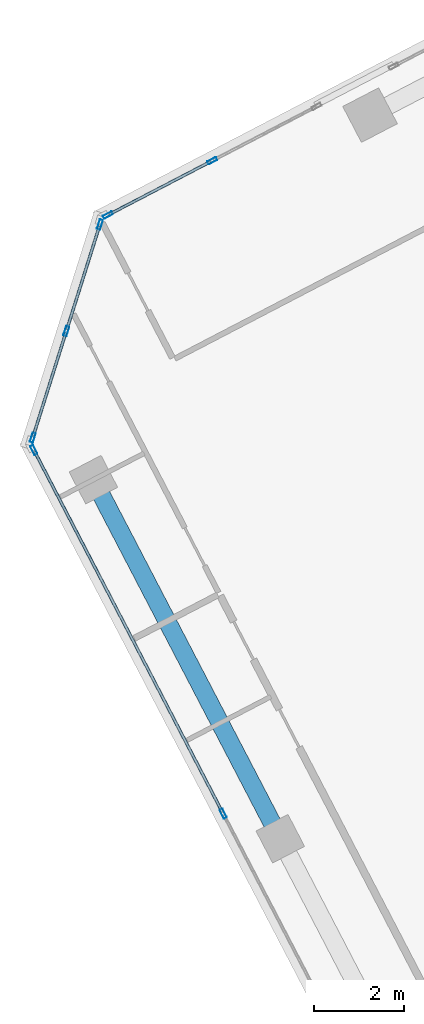
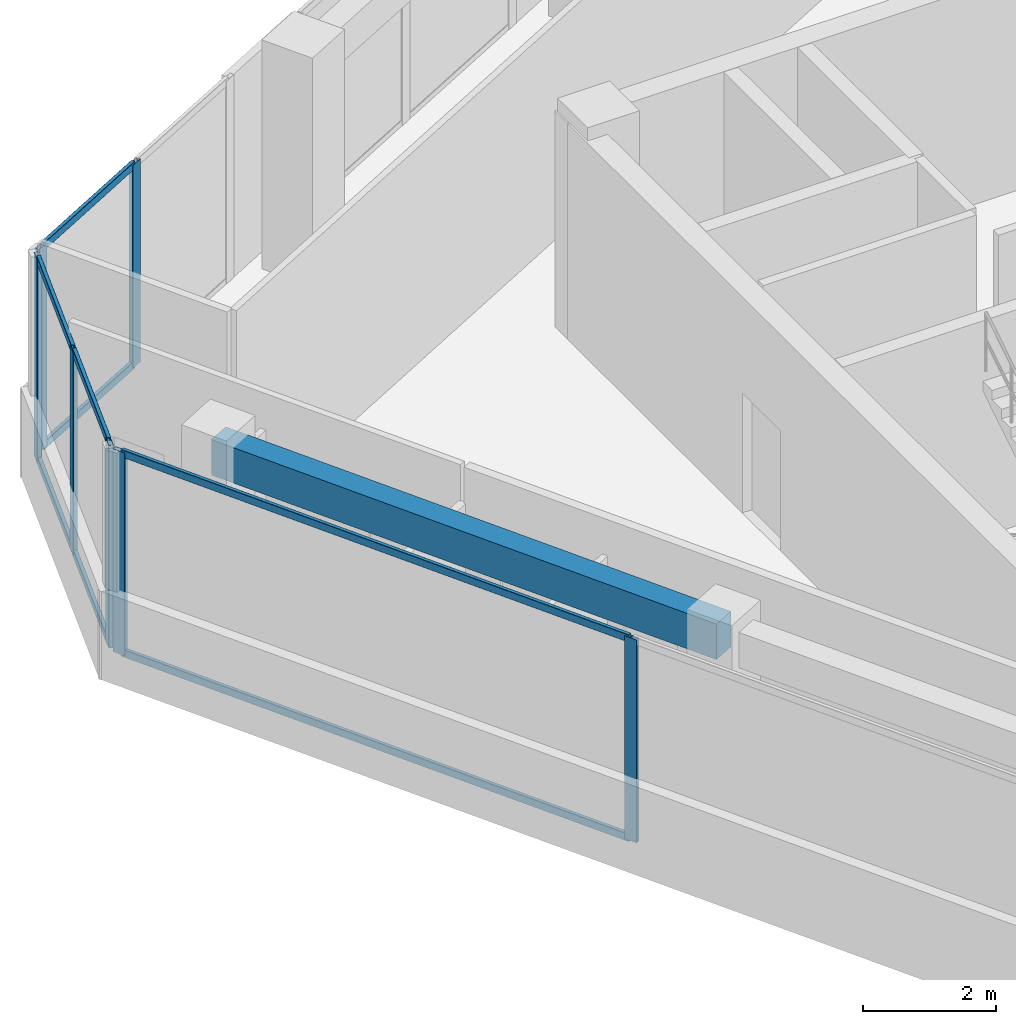
# One storey, part 5 of 17: 15 members, 1 beam, 3 elements without a shape of their own.
"""IFC4 building model written with IfcOpenShell, lengths in metres."""

from ifc_helpers import new_model, si_unit, direction, frame, origin, origin_2d, place, context, subcontext, project, spatial, rectangle, hollow_rectangle, extrude, source, transform, mapped, material, material_profile, profile_set, type_object, element, aggregate, save


model = new_model("IFC4")

# Units and contexts
model_context = context("Model", 3, precision=1e-05, world=origin(), true_north=direction((0.0, 1.0)))
body_context = subcontext(model_context, "Body", "Model", "MODEL_VIEW")
ifc_project = project(units=[si_unit("LENGTHUNIT", "METRE"), si_unit("AREAUNIT", "SQUARE_METRE"), si_unit("VOLUMEUNIT", "CUBIC_METRE"), si_unit("PLANEANGLEUNIT", "RADIAN"), si_unit("MASSUNIT", "GRAM", prefix="KILO")], contexts=[model_context])

# Site, building, storey
site_placement = place(None, origin())
site = spatial("IfcSite", under=ifc_project, at=site_placement, CompositionType="ELEMENT")
building_placement = place(site_placement, origin())
building = spatial("IfcBuilding", under=site, at=building_placement, Name="Torre Montelarca", CompositionType="ELEMENT")
storey_placement = place(building_placement, frame((0.0, 0.0, 332.39990234375)))
storey = spatial("IfcBuildingStorey", under=building, at=storey_placement, Name="L75", CompositionType="ELEMENT", Elevation=332.39990234375)

# Beam
ifc_material_1 = material(Name="Concrete C40/50", Category="concrete")
ifc_material_profile_1 = material_profile(ifc_material_1, rectangle(XDim=0.39990234375, YDim=0.64990234375, at=origin_2d()), Name="RCB400X650", Category="concrete")
ifc_profile_set_1 = profile_set([ifc_material_profile_1], Name="Concrete C40/50")
beam_type = type_object("IfcBeamType", Name="BM-SP-RC650-EXT", PredefinedType="SPANDREL", material=ifc_profile_set_1)
shared_shape_1 = source(origin(), body_context, "Body", "SweptSolid", [
    extrude(rectangle(XDim=0.39990234375, YDim=0.64990234375, at=origin_2d()), origin(), (0.0, 0.0, 1.0), 8.999755859375),
])
beam_placement = place(storey_placement, frame((0.4716796875, 35.1455078125, 3.635009765625), z_axis=(0.4617379111, -0.887016404275, 0.0), x_axis=(0.887016404275, 0.4617379111, 0.0)))
element("IfcBeam", 1, at=beam_placement, inside=storey, type_object=beam_type, Name="L75 Grid Girder X 9.0-18.0 at Y=14.8", PredefinedType="SPANDREL", context=body_context, shape_type="MappedRepresentation", body=[
    mapped(shared_shape_1, transform((0.0, 0.0, 0.0), scale=1.0)),
])

# Curtain wall, members
ifc_material_2 = material(Name="Insulated low-E laminated glass", Category="glass")
curtain_wall_type = type_object("IfcCurtainWallType", Name="CW-SYS-Z4", PredefinedType="USERDEFINED", material=ifc_material_2)
curtain_wall_1_placement = place(storey_placement, origin())
curtain_wall_1 = element("IfcCurtainWall", 2, at=curtain_wall_1_placement, inside=storey, type_object=curtain_wall_type, Name="L75 Curtain Wall Run CW-T3-L75-E01-B1", ObjectType="UNITISED GLAZING", PredefinedType="USERDEFINED")
ifc_material_3 = material(Name="Anodised aluminium AA 6063-T6", Category="aluminium")
ifc_material_profile_2 = material_profile(ifc_material_3, hollow_rectangle(XDim=0.074951171875, YDim=0.219970703125, WallThickness=0.0048828125, InnerFilletRadius=0.0048828125, OuterFilletRadius=0.010009765625, at=origin_2d()), Name="ALU75X220X5", Category="aluminium")
ifc_profile_set_2 = profile_set([ifc_material_profile_2], Name="Anodised aluminium AA 6063-T6")
member_type_1 = type_object("IfcMemberType", Name="CWM-ALU220", PredefinedType="MULLION", material=ifc_profile_set_2)
shared_shape_2 = source(origin(), body_context, "Body", "SweptSolid", [
    extrude(hollow_rectangle(XDim=0.074951171875, YDim=0.219970703125, WallThickness=0.0048828125, InnerFilletRadius=0.0048828125, OuterFilletRadius=0.010009765625, at=origin_2d()), origin(), (0.0, 0.0, 1.0), 3.72021484375),
])
member_1_placement = place(storey_placement, frame((-0.852783203125, 35.805419921875, 0.0), z_axis=(0.0, 0.0, 1.0), x_axis=(0.887011429119, 0.461747468442, 0.0)))
member_1 = element("IfcMember", 3, at=member_1_placement, type_object=member_type_1, Name="CW mullion 1", PredefinedType="MULLION", context=body_context, shape_type="MappedRepresentation", body=[
    mapped(shared_shape_2, transform((0.0, 0.0, 0.0), scale=1.0)),
])
member_2_placement = place(storey_placement, frame((3.35595703125, 27.720703125, 0.0), z_axis=(0.0, 0.0, 1.0), x_axis=(0.887011429119, 0.461747468442, 0.0)))
member_2 = element("IfcMember", 4, at=member_2_placement, type_object=member_type_1, Name="CW mullion 2", PredefinedType="MULLION", context=body_context, shape_type="MappedRepresentation", body=[
    mapped(shared_shape_2, transform((0.0, 0.0, 0.0), scale=1.0)),
])

curtain_wall_2_placement = place(storey_placement, origin())
curtain_wall_2 = element("IfcCurtainWall", 5, at=curtain_wall_2_placement, inside=storey, type_object=curtain_wall_type, Name="L75 Curtain Wall Run CW-T3-L75-E10-B3", ObjectType="UNITISED GLAZING", PredefinedType="USERDEFINED")
member_3_placement = place(storey_placement, frame((3.113525390625, 42.23681640625, 0.0), z_axis=(0.0, 0.0, 1.0), x_axis=(0.46173914052, -0.887015764297, 0.0)))
member_3 = element("IfcMember", 6, at=member_3_placement, type_object=member_type_1, Name="CW mullion 2", PredefinedType="MULLION", context=body_context, shape_type="MappedRepresentation", body=[
    mapped(shared_shape_2, transform((0.0, 0.0, 0.0), scale=1.0)),
])
member_4_placement = place(storey_placement, frame((0.79443359375, 41.029541015625, 0.0), z_axis=(0.0, 0.0, 1.0), x_axis=(0.46173914052, -0.887015764297, 0.0)))
member_4 = element("IfcMember", 7, at=member_4_placement, type_object=member_type_1, Name="CW mullion 3", PredefinedType="MULLION", context=body_context, shape_type="MappedRepresentation", body=[
    mapped(shared_shape_2, transform((0.0, 0.0, 0.0), scale=1.0)),
])

curtain_wall_3_placement = place(storey_placement, origin())
curtain_wall_3 = element("IfcCurtainWall", 8, at=curtain_wall_3_placement, inside=storey, type_object=curtain_wall_type, Name="L75 Curtain Wall Run CW-T3-L75-E11-B1", ObjectType="UNITISED GLAZING", PredefinedType="USERDEFINED")
member_5_placement = place(storey_placement, frame((0.616943359375, 40.81787109375, 0.0), z_axis=(0.0, 0.0, 1.0), x_axis=(0.953721038655, -0.300692834013, 0.0)))
member_5 = element("IfcMember", 9, at=member_5_placement, type_object=member_type_1, Name="CW mullion 1", PredefinedType="MULLION", context=body_context, shape_type="MappedRepresentation", body=[
    mapped(shared_shape_2, transform((0.0, 0.0, 0.0), scale=1.0)),
])
member_6_placement = place(storey_placement, frame((-0.1298828125, 38.44921875, 0.0), z_axis=(0.0, 0.0, 1.0), x_axis=(0.953721038655, -0.300692834013, 0.0)))
member_6 = element("IfcMember", 10, at=member_6_placement, type_object=member_type_1, Name="CW mullion 2", PredefinedType="MULLION", context=body_context, shape_type="MappedRepresentation", body=[
    mapped(shared_shape_2, transform((0.0, 0.0, 0.0), scale=1.0)),
])
member_7_placement = place(storey_placement, frame((-0.876708984375, 36.08056640625, 0.0), z_axis=(0.0, 0.0, 1.0), x_axis=(0.953721038655, -0.300692834013, 0.0)))
member_7 = element("IfcMember", 11, at=member_7_placement, type_object=member_type_1, Name="CW mullion 3", PredefinedType="MULLION", context=body_context, shape_type="MappedRepresentation", body=[
    mapped(shared_shape_2, transform((0.0, 0.0, 0.0), scale=1.0)),
])
ifc_material_profile_3 = material_profile(ifc_material_3, hollow_rectangle(XDim=0.06494140625, YDim=0.139892578125, WallThickness=0.00390625, InnerFilletRadius=0.00390625, OuterFilletRadius=0.008056640625, at=origin_2d()), Name="ALU65X140X4", Category="aluminium")
ifc_profile_set_3 = profile_set([ifc_material_profile_3], Name="Anodised aluminium AA 6063-T6")
member_type_2 = type_object("IfcMemberType", Name="CWT-ALU140", PredefinedType="USERDEFINED", material=ifc_profile_set_3)
shared_shape_3 = source(origin(), body_context, "Body", "SweptSolid", [
    extrude(hollow_rectangle(XDim=0.06494140625, YDim=0.139892578125, WallThickness=0.00390625, InnerFilletRadius=0.00390625, OuterFilletRadius=0.008056640625, at=origin_2d()), origin(), (0.0, 0.0, 1.0), 2.40869140625),
])
member_8_placement = place(storey_placement, frame((-0.14111328125, 38.413330078125, 0.03271484375), z_axis=(-0.300738408504, -0.953706668557, 0.0), x_axis=(0.953706668557, -0.300738408504, 0.0)))
member_8 = element("IfcMember", 12, at=member_8_placement, type_object=member_type_2, Name="CW transom 2.1", ObjectType="TRANSOM", PredefinedType="USERDEFINED", context=body_context, shape_type="MappedRepresentation", body=[
    mapped(shared_shape_3, transform((0.0, 0.0, 0.0), scale=1.0)),
])
member_9_placement = place(storey_placement, frame((-0.14111328125, 38.413330078125, 3.6875), z_axis=(-0.300738408504, -0.953706668557, 0.0), x_axis=(0.953706668557, -0.300738408504, 0.0)))
member_9 = element("IfcMember", 13, at=member_9_placement, type_object=member_type_2, Name="CW transom 2.2", ObjectType="TRANSOM", PredefinedType="USERDEFINED", context=body_context, shape_type="MappedRepresentation", body=[
    mapped(shared_shape_3, transform((0.0, 0.0, 0.0), scale=1.0)),
])
shared_shape_4 = source(origin(), body_context, "Body", "SweptSolid", [
    extrude(hollow_rectangle(XDim=0.06494140625, YDim=0.139892578125, WallThickness=0.00390625, InnerFilletRadius=0.00390625, OuterFilletRadius=0.008056640625, at=origin_2d()), origin(), (0.0, 0.0, 1.0), 2.408935546875),
])
member_10_placement = place(storey_placement, frame((0.605712890625, 40.7822265625, 0.03271484375), z_axis=(-0.300709339163, -0.953715834691, 0.0), x_axis=(0.953715834691, -0.300709339163, 0.0)))
member_10 = element("IfcMember", 14, at=member_10_placement, type_object=member_type_2, Name="CW transom 1.1", ObjectType="TRANSOM", PredefinedType="USERDEFINED", context=body_context, shape_type="MappedRepresentation", body=[
    mapped(shared_shape_4, transform((0.0, 0.0, 0.0), scale=1.0)),
])
member_11_placement = place(storey_placement, frame((0.605712890625, 40.7822265625, 3.6875), z_axis=(-0.300709339163, -0.953715834691, 0.0), x_axis=(0.953715834691, -0.300709339163, 0.0)))
member_11 = element("IfcMember", 15, at=member_11_placement, type_object=member_type_2, Name="CW transom 1.2", ObjectType="TRANSOM", PredefinedType="USERDEFINED", context=body_context, shape_type="MappedRepresentation", body=[
    mapped(shared_shape_4, transform((0.0, 0.0, 0.0), scale=1.0)),
])
aggregate(curtain_wall_3, [member_5, member_6, member_7, member_10, member_11, member_8, member_9])

# Member
shared_shape_5 = source(origin(), body_context, "Body", "SweptSolid", [
    extrude(hollow_rectangle(XDim=0.06494140625, YDim=0.139892578125, WallThickness=0.00390625, InnerFilletRadius=0.00390625, OuterFilletRadius=0.008056640625, at=origin_2d()), origin(), (0.0, 0.0, 1.0), 9.03955078125),
])
member_12_placement = place(storey_placement, frame((-0.83544921875, 35.77197265625, 0.03271484375), z_axis=(0.461760022747, -0.887004893669, 0.0), x_axis=(0.887004893669, 0.461760022747, 0.0)))
member_12 = element("IfcMember", 16, at=member_12_placement, type_object=member_type_2, Name="CW transom 1.1", ObjectType="TRANSOM", PredefinedType="USERDEFINED", context=body_context, shape_type="MappedRepresentation", body=[
    mapped(shared_shape_5, transform((0.0, 0.0, 0.0), scale=1.0)),
])

member_13_placement = place(storey_placement, frame((-0.83544921875, 35.77197265625, 3.6875), z_axis=(0.461760022747, -0.887004893669, 0.0), x_axis=(0.887004893669, 0.461760022747, 0.0)))
member_13 = element("IfcMember", 17, at=member_13_placement, type_object=member_type_2, Name="CW transom 1.2", ObjectType="TRANSOM", PredefinedType="USERDEFINED", context=body_context, shape_type="MappedRepresentation", body=[
    mapped(shared_shape_5, transform((0.0, 0.0, 0.0), scale=1.0)),
])

aggregate(curtain_wall_1, [member_1, member_2, member_12, member_13])

shared_shape_6 = source(origin(), body_context, "Body", "SweptSolid", [
    extrude(hollow_rectangle(XDim=0.06494140625, YDim=0.139892578125, WallThickness=0.00390625, InnerFilletRadius=0.00390625, OuterFilletRadius=0.008056640625, at=origin_2d()), origin(), (0.0, 0.0, 1.0), 2.53955078125),
])
member_14_placement = place(storey_placement, frame((3.080322265625, 42.219482421875, 0.03271484375), z_axis=(-0.887021549542, -0.461728026709, 0.0), x_axis=(0.461728026709, -0.887021549542, 0.0)))
member_14 = element("IfcMember", 18, at=member_14_placement, type_object=member_type_2, Name="CW transom 2.1", ObjectType="TRANSOM", PredefinedType="USERDEFINED", context=body_context, shape_type="MappedRepresentation", body=[
    mapped(shared_shape_6, transform((0.0, 0.0, 0.0), scale=1.0)),
])

member_15_placement = place(storey_placement, frame((3.080322265625, 42.219482421875, 3.6875), z_axis=(-0.887021549542, -0.461728026709, 0.0), x_axis=(0.461728026709, -0.887021549542, 0.0)))
member_15 = element("IfcMember", 19, at=member_15_placement, type_object=member_type_2, Name="CW transom 2.2", ObjectType="TRANSOM", PredefinedType="USERDEFINED", context=body_context, shape_type="MappedRepresentation", body=[
    mapped(shared_shape_6, transform((0.0, 0.0, 0.0), scale=1.0)),
])

aggregate(curtain_wall_2, [member_3, member_4, member_14, member_15])

save(model, "model.ifc")
